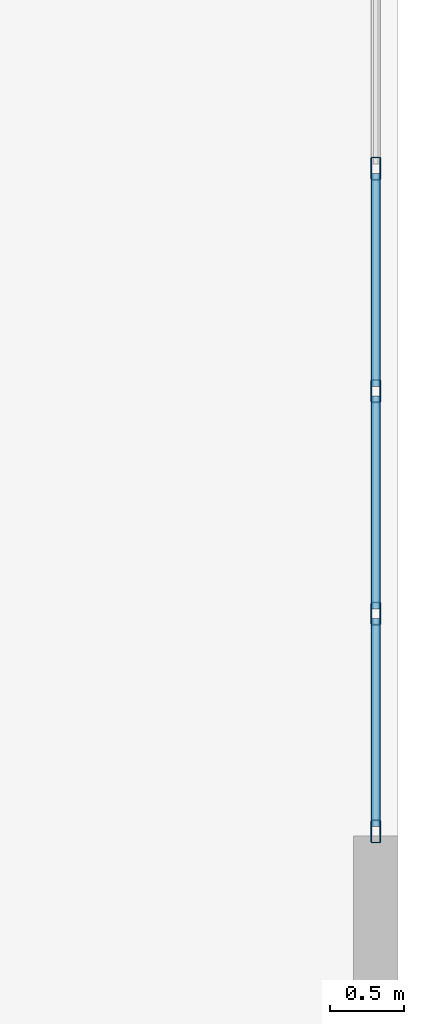
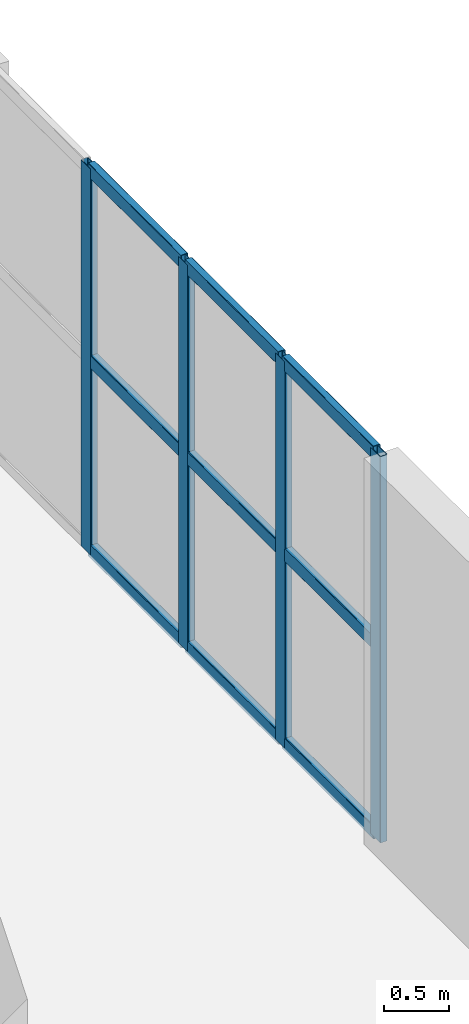
# One storey, part 2 of 7: 13 members, 1 element without a shape of its own.
"""IFC4 building model written with IfcOpenShell, lengths in metres."""

from ifc_helpers import new_model, entity, si_unit, converted_unit, direction, frame, origin_with_axes, origin_2d_with_axis, place, context, subcontext, project, spatial, hollow_rectangle, extrude, material, material_profile, profile_set, type_object, element, aggregate, save


model = new_model("IFC4")

# Units and contexts
model_context = context("Model", 3, precision=1e-05, world=origin_with_axes(), true_north=direction((0.0, 1.0)))
body_context = subcontext(model_context, "Body", "Model", "MODEL_VIEW")
ifc_project = project(units=[si_unit("LENGTHUNIT", "METRE"), si_unit("AREAUNIT", "SQUARE_METRE"), si_unit("VOLUMEUNIT", "CUBIC_METRE"), converted_unit("PLANEANGLEUNIT", "DEGREE", entity("IfcPlaneAngleMeasure", 0.017453292519943295), si_unit("PLANEANGLEUNIT", "RADIAN"), dimensions=[0, 0, 0, 0, 0, 0, 0]), si_unit("MASSUNIT", "GRAM", prefix="KILO"), si_unit("THERMODYNAMICTEMPERATUREUNIT", "KELVIN")], contexts=[model_context])

# Site, building, storey
site_placement = place(None, origin_with_axes())
site = spatial("IfcSite", under=ifc_project, at=site_placement, CompositionType="ELEMENT")
building_placement = place(site_placement, origin_with_axes())
building = spatial("IfcBuilding", under=site, at=building_placement, Name="Varnlund Millrace Tower", CompositionType="ELEMENT")
storey_placement = place(building_placement, frame((0.0, 0.0, 312.6), z_axis=(0.0, 0.0, 1.0), x_axis=(1.0, 0.0, 0.0)))
storey = spatial("IfcBuildingStorey", under=building, at=storey_placement, Name="L77", CompositionType="ELEMENT", Elevation=312.6)

# Curtain wall, members
ifc_material_1 = material(Name="Thermally broken architectural bronze curtain wall", Category="aluminium")
curtain_wall_type = type_object("IfcCurtainWallType", Name="Type-CW-Sys6-Observatory", PredefinedType="NOTDEFINED", material=ifc_material_1)
curtain_wall_placement = place(storey_placement, frame((32.25, 37.0, 0.0), z_axis=(0.0, 0.0, 1.0), x_axis=(1.0, 0.0, 0.0)))
curtain_wall = element("IfcCurtainWall", 1, at=curtain_wall_placement, inside=storey, type_object=curtain_wall_type, Name="Type-CW-Sys6-Observatory", PredefinedType="NOTDEFINED")
ifc_material_2 = material(Name="Architectural bronze aluminium alloy 6063-T6", Category="aluminium")
ifc_material_profile_1 = material_profile(ifc_material_2, hollow_rectangle(XDim=0.065, YDim=0.155, WallThickness=0.0045, InnerFilletRadius=0.004, OuterFilletRadius=0.009, at=origin_2d_with_axis()), Name="Architectural bronze aluminium alloy 6063-T6")
ifc_profile_set_1 = profile_set([ifc_material_profile_1], Name="Architectural bronze aluminium alloy 6063-T6")
member_type_1 = type_object("IfcMemberType", Name="Type-CW-Mullion-65X155", PredefinedType="MULLION", material=ifc_profile_set_1)
member_1_placement = place(storey_placement, frame((32.25, 35.5, 0.0), z_axis=(0.0, 0.0, 1.0), x_axis=(1.0, 0.0, 0.0)))
member_1 = element("IfcMember", 2, at=member_1_placement, type_object=member_type_1, Name="CW-06 mullion 2", PredefinedType="MULLION", context=body_context, shape_type="SweptSolid", body=[
    extrude(hollow_rectangle(XDim=0.065, YDim=0.155, WallThickness=0.0045, InnerFilletRadius=0.004, OuterFilletRadius=0.009, at=origin_2d_with_axis()), origin_with_axes(), (0.0, 0.0, 1.0), 3.64),
])
member_2_placement = place(storey_placement, frame((32.25, 34.0, 0.0), z_axis=(0.0, 0.0, 1.0), x_axis=(1.0, 0.0, 0.0)))
member_2 = element("IfcMember", 3, at=member_2_placement, type_object=member_type_1, Name="CW-06 mullion 3", PredefinedType="MULLION", context=body_context, shape_type="SweptSolid", body=[
    extrude(hollow_rectangle(XDim=0.065, YDim=0.155, WallThickness=0.0045, InnerFilletRadius=0.004, OuterFilletRadius=0.009, at=origin_2d_with_axis()), origin_with_axes(), (0.0, 0.0, 1.0), 3.64),
])
member_3_placement = place(storey_placement, frame((32.25, 32.5, 0.0), z_axis=(0.0, 0.0, 1.0), x_axis=(1.0, 0.0, 0.0)))
member_3 = element("IfcMember", 4, at=member_3_placement, type_object=member_type_1, Name="CW-06 mullion 4", PredefinedType="MULLION", context=body_context, shape_type="SweptSolid", body=[
    extrude(hollow_rectangle(XDim=0.065, YDim=0.155, WallThickness=0.0045, InnerFilletRadius=0.004, OuterFilletRadius=0.009, at=origin_2d_with_axis()), origin_with_axes(), (0.0, 0.0, 1.0), 3.64),
])
member_4_placement = place(storey_placement, frame((32.25, 31.0325, 0.0), z_axis=(0.0, 0.0, 1.0), x_axis=(1.0, 0.0, 0.0)))
member_4 = element("IfcMember", 5, at=member_4_placement, type_object=member_type_1, Name="CW-06 mullion 5", PredefinedType="MULLION", context=body_context, shape_type="SweptSolid", body=[
    extrude(hollow_rectangle(XDim=0.065, YDim=0.155, WallThickness=0.0045, InnerFilletRadius=0.004, OuterFilletRadius=0.009, at=origin_2d_with_axis()), origin_with_axes(), (0.0, 0.0, 1.0), 3.64),
])
ifc_material_profile_2 = material_profile(ifc_material_2, hollow_rectangle(XDim=0.065, YDim=0.13, WallThickness=0.0045, InnerFilletRadius=0.004, OuterFilletRadius=0.009, at=origin_2d_with_axis()), Name="Architectural bronze aluminium alloy 6063-T6")
ifc_profile_set_2 = profile_set([ifc_material_profile_2], Name="Architectural bronze aluminium alloy 6063-T6")
member_type_2 = type_object("IfcMemberType", Name="Type-CW-Transom-65X130", PredefinedType="USERDEFINED", material=ifc_profile_set_2)
member_5_placement = place(storey_placement, frame((32.25, 35.4675, 0.0325), z_axis=(0.0, -1.0, 0.0), x_axis=(1.0, 0.0, 0.0)))
member_5 = element("IfcMember", 6, at=member_5_placement, type_object=member_type_2, Name="CW-06 transom 2.1", ObjectType="TRANSOM", PredefinedType="USERDEFINED", context=body_context, shape_type="SweptSolid", body=[
    extrude(hollow_rectangle(XDim=0.065, YDim=0.13, WallThickness=0.0045, InnerFilletRadius=0.004, OuterFilletRadius=0.009, at=origin_2d_with_axis()), origin_with_axes(), (0.0, 0.0, 1.0), 1.435),
])
member_6_placement = place(storey_placement, frame((32.25, 35.4675, 1.82), z_axis=(0.0, -1.0, 0.0), x_axis=(1.0, 0.0, 0.0)))
member_6 = element("IfcMember", 7, at=member_6_placement, type_object=member_type_2, Name="CW-06 transom 2.2", ObjectType="TRANSOM", PredefinedType="USERDEFINED", context=body_context, shape_type="SweptSolid", body=[
    extrude(hollow_rectangle(XDim=0.065, YDim=0.13, WallThickness=0.0045, InnerFilletRadius=0.004, OuterFilletRadius=0.009, at=origin_2d_with_axis()), origin_with_axes(), (0.0, 0.0, 1.0), 1.435),
])
member_7_placement = place(storey_placement, frame((32.25, 35.4675, 3.6075), z_axis=(0.0, -1.0, 0.0), x_axis=(1.0, 0.0, 0.0)))
member_7 = element("IfcMember", 8, at=member_7_placement, type_object=member_type_2, Name="CW-06 transom 2.3", ObjectType="TRANSOM", PredefinedType="USERDEFINED", context=body_context, shape_type="SweptSolid", body=[
    extrude(hollow_rectangle(XDim=0.065, YDim=0.13, WallThickness=0.0045, InnerFilletRadius=0.004, OuterFilletRadius=0.009, at=origin_2d_with_axis()), origin_with_axes(), (0.0, 0.0, 1.0), 1.435),
])
member_8_placement = place(storey_placement, frame((32.25, 33.9675, 0.0325), z_axis=(0.0, -1.0, 0.0), x_axis=(1.0, 0.0, 0.0)))
member_8 = element("IfcMember", 9, at=member_8_placement, type_object=member_type_2, Name="CW-06 transom 3.1", ObjectType="TRANSOM", PredefinedType="USERDEFINED", context=body_context, shape_type="SweptSolid", body=[
    extrude(hollow_rectangle(XDim=0.065, YDim=0.13, WallThickness=0.0045, InnerFilletRadius=0.004, OuterFilletRadius=0.009, at=origin_2d_with_axis()), origin_with_axes(), (0.0, 0.0, 1.0), 1.435),
])
member_9_placement = place(storey_placement, frame((32.25, 33.9675, 1.82), z_axis=(0.0, -1.0, 0.0), x_axis=(1.0, 0.0, 0.0)))
member_9 = element("IfcMember", 10, at=member_9_placement, type_object=member_type_2, Name="CW-06 transom 3.2", ObjectType="TRANSOM", PredefinedType="USERDEFINED", context=body_context, shape_type="SweptSolid", body=[
    extrude(hollow_rectangle(XDim=0.065, YDim=0.13, WallThickness=0.0045, InnerFilletRadius=0.004, OuterFilletRadius=0.009, at=origin_2d_with_axis()), origin_with_axes(), (0.0, 0.0, 1.0), 1.435),
])
member_10_placement = place(storey_placement, frame((32.25, 33.9675, 3.6075), z_axis=(0.0, -1.0, 0.0), x_axis=(1.0, 0.0, 0.0)))
member_10 = element("IfcMember", 11, at=member_10_placement, type_object=member_type_2, Name="CW-06 transom 3.3", ObjectType="TRANSOM", PredefinedType="USERDEFINED", context=body_context, shape_type="SweptSolid", body=[
    extrude(hollow_rectangle(XDim=0.065, YDim=0.13, WallThickness=0.0045, InnerFilletRadius=0.004, OuterFilletRadius=0.009, at=origin_2d_with_axis()), origin_with_axes(), (0.0, 0.0, 1.0), 1.435),
])
member_11_placement = place(storey_placement, frame((32.25, 32.4675, 0.0325), z_axis=(0.0, -1.0, 0.0), x_axis=(1.0, 0.0, 0.0)))
member_11 = element("IfcMember", 12, at=member_11_placement, type_object=member_type_2, Name="CW-06 transom 4.1", ObjectType="TRANSOM", PredefinedType="USERDEFINED", context=body_context, shape_type="SweptSolid", body=[
    extrude(hollow_rectangle(XDim=0.065, YDim=0.13, WallThickness=0.0045, InnerFilletRadius=0.004, OuterFilletRadius=0.009, at=origin_2d_with_axis()), origin_with_axes(), (0.0, 0.0, 1.0), 1.4025),
])
member_12_placement = place(storey_placement, frame((32.25, 32.4675, 1.82), z_axis=(0.0, -1.0, 0.0), x_axis=(1.0, 0.0, 0.0)))
member_12 = element("IfcMember", 13, at=member_12_placement, type_object=member_type_2, Name="CW-06 transom 4.2", ObjectType="TRANSOM", PredefinedType="USERDEFINED", context=body_context, shape_type="SweptSolid", body=[
    extrude(hollow_rectangle(XDim=0.065, YDim=0.13, WallThickness=0.0045, InnerFilletRadius=0.004, OuterFilletRadius=0.009, at=origin_2d_with_axis()), origin_with_axes(), (0.0, 0.0, 1.0), 1.4025),
])
member_13_placement = place(storey_placement, frame((32.25, 32.4675, 3.6075), z_axis=(0.0, -1.0, 0.0), x_axis=(1.0, 0.0, 0.0)))
member_13 = element("IfcMember", 14, at=member_13_placement, type_object=member_type_2, Name="CW-06 transom 4.3", ObjectType="TRANSOM", PredefinedType="USERDEFINED", context=body_context, shape_type="SweptSolid", body=[
    extrude(hollow_rectangle(XDim=0.065, YDim=0.13, WallThickness=0.0045, InnerFilletRadius=0.004, OuterFilletRadius=0.009, at=origin_2d_with_axis()), origin_with_axes(), (0.0, 0.0, 1.0), 1.4025),
])
aggregate(curtain_wall, [member_1, member_2, member_3, member_4, member_5, member_6, member_7, member_8, member_9, member_10, member_11, member_12, member_13])

save(model, "model.ifc")
